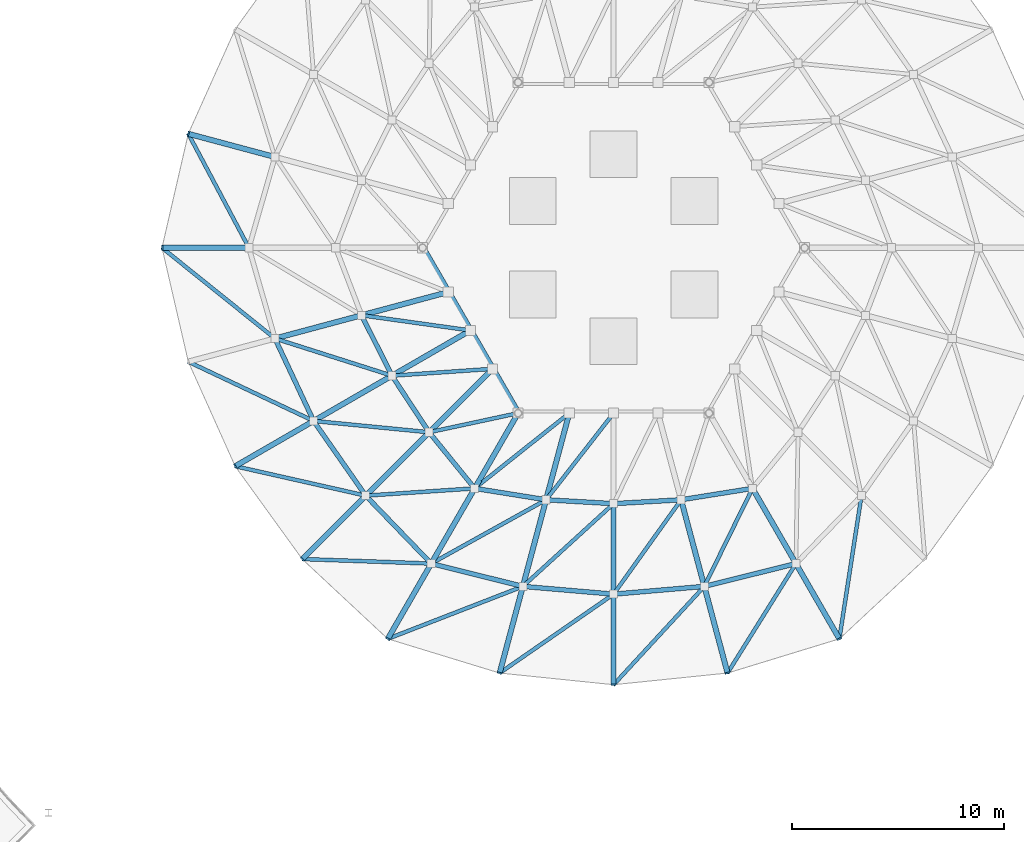
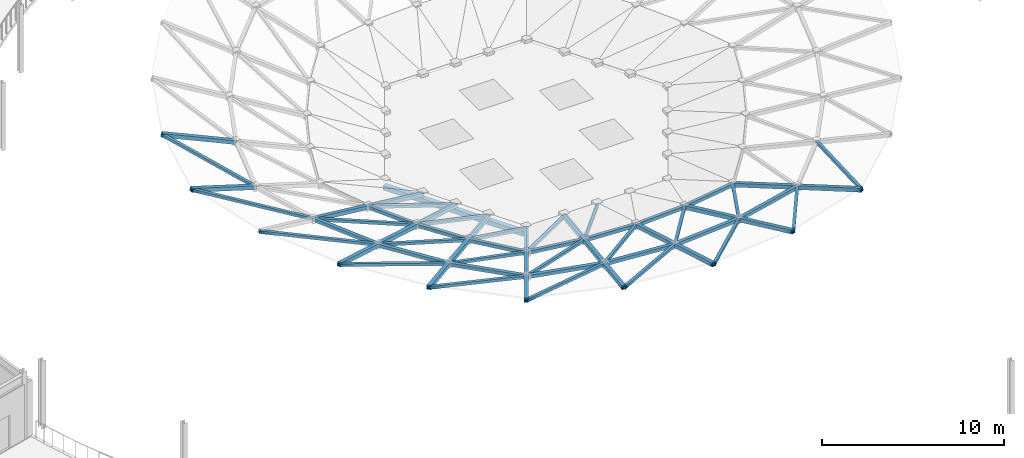
# One storey, part 22 of 116: 58 members, 1 beam.
"""IFC4 building model written with IfcOpenShell, lengths in metres."""

from ifc_helpers import new_model, si_unit, direction, frame, origin, origin_2d, place, context, subcontext, project, spatial, hollow_rectangle, extrude, material, material_profile, profile_set, type_object, element, save


model = new_model("IFC4")

# Units and contexts
model_context = context("Model", 3, precision=1e-05, world=origin(), true_north=direction((0.0, 1.0)))
body_context = subcontext(model_context, "Body", "Model", "MODEL_VIEW")
ifc_project = project(units=[si_unit("LENGTHUNIT", "METRE"), si_unit("AREAUNIT", "SQUARE_METRE"), si_unit("VOLUMEUNIT", "CUBIC_METRE"), si_unit("PLANEANGLEUNIT", "RADIAN"), si_unit("MASSUNIT", "GRAM", prefix="KILO")], contexts=[model_context])

# Site, building, storey
site_placement = place(None, origin())
site = spatial("IfcSite", under=ifc_project, at=site_placement, CompositionType="ELEMENT")
building_placement = place(site_placement, origin())
building = spatial("IfcBuilding", under=site, at=building_placement, Name="Almandine Court Research Institute", CompositionType="ELEMENT")
storey_placement = place(building_placement, frame((0.0, 0.0, 14.35009765625)))
storey = spatial("IfcBuildingStorey", under=building, at=storey_placement, Name="L03", CompositionType="ELEMENT", Elevation=14.35009765625)

# Beam
ifc_material = material(Name="Steel ASTM A500 Grade C", Category="steel")
ifc_material_profile_1 = material_profile(ifc_material, hollow_rectangle(XDim=0.300048828125, YDim=0.300048828125, WallThickness=0.011962890625, at=origin_2d()), Name="HSS 300x300x12")
ifc_profile_set_1 = profile_set([ifc_material_profile_1], Name="Steel ASTM A500 Grade C")
beam_type = type_object("IfcBeamType", Name="Beam-RB-01-E", PredefinedType="BEAM", material=ifc_profile_set_1)
beam_placement = place(storey_placement, frame((78.0, 56.0, 0.64990234375), z_axis=(0.500013631625, -0.866017533419, 0.0), x_axis=(0.866017533419, 0.500013631625, 0.0)))
element("IfcBeam", 1, at=beam_placement, inside=storey, type_object=beam_type, Name="Gridshell Inner Oculus Ring Beam IRB-4", PredefinedType="BEAM", context=body_context, shape_type="SweptSolid", body=[
    extrude(hollow_rectangle(XDim=0.300048828125, YDim=0.300048828125, WallThickness=0.011962890625, at=origin_2d()), origin(), (0.0, 0.0, 1.0), 8.999755859375),
])

# Members
ifc_material_profile_2 = material_profile(ifc_material, hollow_rectangle(XDim=0.25, YDim=0.25, WallThickness=0.010009765625, at=origin_2d()), Name="HSS 250x250x10")
ifc_profile_set_2 = profile_set([ifc_material_profile_2], Name="Steel ASTM A500 Grade C")
member_type_1 = type_object("IfcMemberType", Name="Mem-GS-AR1", PredefinedType="RAFTER", material=ifc_profile_set_2)
member_1_placement = place(storey_placement, frame((66.9599609375, 61.3701171875, 4.77099609375), z_axis=(0.925809514267, -0.248174536061, -0.285107248144), x_axis=(0.25892088645, 0.965898532228, 0.0)))
element("IfcMember", 2, at=member_1_placement, inside=storey, type_object=member_type_1, Name="Atrium Conical Gridshell Radial Rib R4-S11", PredefinedType="RAFTER", context=body_context, shape_type="SweptSolid", body=[
    extrude(hollow_rectangle(XDim=0.25, YDim=0.25, WallThickness=0.010009765625, at=origin_2d()), origin(), (0.0, 0.0, 1.0), 4.4091796875),
])
member_2_placement = place(storey_placement, frame((65.720947265625, 56.0, 4.77099609375), z_axis=(0.955930522489, 0.0, -0.293592977053), x_axis=(0.0, 1.0, 0.0)))
element("IfcMember", 3, at=member_2_placement, inside=storey, type_object=member_type_1, Name="Atrium Conical Gridshell Radial Rib R4-S12", PredefinedType="RAFTER", context=body_context, shape_type="SweptSolid", body=[
    extrude(hollow_rectangle(XDim=0.25, YDim=0.25, WallThickness=0.010009765625, at=origin_2d()), origin(), (0.0, 0.0, 1.0), 4.28173828125),
])
member_3_placement = place(storey_placement, frame((69.1689453125, 45.705078125, 4.77099609375), z_axis=(0.830700468478, 0.479611347077, -0.282683015808), x_axis=(-0.500004853958, 0.866022601332, 0.0)))
element("IfcMember", 4, at=member_3_placement, inside=storey, type_object=member_type_1, Name="Atrium Conical Gridshell Radial Rib R4-S14", PredefinedType="RAFTER", context=body_context, shape_type="SweptSolid", body=[
    extrude(hollow_rectangle(XDim=0.25, YDim=0.25, WallThickness=0.010009765625, at=origin_2d()), origin(), (0.0, 0.0, 1.0), 4.447021484375),
])
member_4_placement = place(storey_placement, frame((72.330078125, 41.330078125, 4.77099609375), z_axis=(0.677753192831, 0.677753192831, -0.285133686566), x_axis=(-0.707106781187, 0.707106781187, 0.0)))
element("IfcMember", 5, at=member_4_placement, inside=storey, type_object=member_type_1, Name="Atrium Conical Gridshell Radial Rib R4-S15", PredefinedType="RAFTER", context=body_context, shape_type="SweptSolid", body=[
    extrude(hollow_rectangle(XDim=0.25, YDim=0.25, WallThickness=0.010009765625, at=origin_2d()), origin(), (0.0, 0.0, 1.0), 4.40869140625),
])
member_5_placement = place(storey_placement, frame((76.361083984375, 37.572021484375, 4.77099609375), z_axis=(0.477830810547, 0.827935962905, -0.293597952686), x_axis=(-0.86610613113, 0.49986015006, 0.0)))
element("IfcMember", 6, at=member_5_placement, inside=storey, type_object=member_type_1, Name="Atrium Conical Gridshell Radial Rib R4-S16", PredefinedType="RAFTER", context=body_context, shape_type="SweptSolid", body=[
    extrude(hollow_rectangle(XDim=0.25, YDim=0.25, WallThickness=0.010009765625, at=origin_2d()), origin(), (0.0, 0.0, 1.0), 4.28173828125),
])
member_6_placement = place(storey_placement, frame((81.6298828125, 35.9599609375, 4.77099609375), z_axis=(0.248174536061, 0.925809514267, -0.285107248144), x_axis=(-0.965898532228, 0.25892088645, 0.0)))
element("IfcMember", 7, at=member_6_placement, inside=storey, type_object=member_type_1, Name="Atrium Conical Gridshell Radial Rib R4-S17", PredefinedType="RAFTER", context=body_context, shape_type="SweptSolid", body=[
    extrude(hollow_rectangle(XDim=0.25, YDim=0.25, WallThickness=0.010009765625, at=origin_2d()), origin(), (0.0, 0.0, 1.0), 4.4091796875),
])
member_7_placement = place(storey_placement, frame((87.0, 35.409912109375, 4.77099609375), z_axis=(0.0, 0.95922289885, -0.282650721425), x_axis=(-1.0, 0.0, 0.0)))
element("IfcMember", 8, at=member_7_placement, inside=storey, type_object=member_type_1, Name="Atrium Conical Gridshell Radial Rib R4-S18", PredefinedType="RAFTER", context=body_context, shape_type="SweptSolid", body=[
    extrude(hollow_rectangle(XDim=0.25, YDim=0.25, WallThickness=0.010009765625, at=origin_2d()), origin(), (0.0, 0.0, 1.0), 4.447509765625),
])
member_8_placement = place(storey_placement, frame((92.3701171875, 35.9599609375, 4.77099609375), z_axis=(-0.248174536061, 0.925809514267, -0.285107248144), x_axis=(-0.965898532228, -0.25892088645, 0.0)))
element("IfcMember", 9, at=member_8_placement, inside=storey, type_object=member_type_1, Name="Atrium Conical Gridshell Radial Rib R4-S19", PredefinedType="RAFTER", context=body_context, shape_type="SweptSolid", body=[
    extrude(hollow_rectangle(XDim=0.25, YDim=0.25, WallThickness=0.010009765625, at=origin_2d()), origin(), (0.0, 0.0, 1.0), 4.4091796875),
])
member_9_placement = place(storey_placement, frame((97.638916015625, 37.572021484375, 4.77099609375), z_axis=(-0.477830810547, 0.827935962905, -0.293597952686), x_axis=(-0.86610613113, -0.49986015006, 0.0)))
element("IfcMember", 10, at=member_9_placement, inside=storey, type_object=member_type_1, Name="Atrium Conical Gridshell Radial Rib R4-S20", PredefinedType="RAFTER", context=body_context, shape_type="SweptSolid", body=[
    extrude(hollow_rectangle(XDim=0.25, YDim=0.25, WallThickness=0.010009765625, at=origin_2d()), origin(), (0.0, 0.0, 1.0), 4.28173828125),
])
member_10_placement = place(storey_placement, frame((71.0419921875, 51.72412109375, 3.513916015625), z_axis=(0.925822235368, 0.248122573964, -0.285111165665), x_axis=(-0.258866989029, 0.965912978478, 0.0)))
element("IfcMember", 11, at=member_10_placement, inside=storey, type_object=member_type_1, Name="Atrium Conical Gridshell Radial Rib R5-S13", PredefinedType="RAFTER", context=body_context, shape_type="SweptSolid", body=[
    extrude(hollow_rectangle(XDim=0.25, YDim=0.25, WallThickness=0.010009765625, at=origin_2d()), origin(), (0.0, 0.0, 1.0), 4.4091796875),
])
member_11_placement = place(storey_placement, frame((72.863037109375, 47.837890625, 3.513916015625), z_axis=(0.830680999936, 0.479593889491, -0.282769831328), x_axis=(-0.499999992624, 0.866025408043, 0.0)))
element("IfcMember", 12, at=member_11_placement, inside=storey, type_object=member_type_1, Name="Atrium Conical Gridshell Radial Rib R5-S14", PredefinedType="RAFTER", context=body_context, shape_type="SweptSolid", body=[
    extrude(hollow_rectangle(XDim=0.25, YDim=0.25, WallThickness=0.010009765625, at=origin_2d()), origin(), (0.0, 0.0, 1.0), 4.445556640625),
])
member_12_placement = place(storey_placement, frame((75.318115234375, 44.318115234375, 3.513916015625), z_axis=(0.677748690146, 0.677748690146, -0.285155091155), x_axis=(-0.707106781187, 0.707106781187, 0.0)))
element("IfcMember", 13, at=member_12_placement, inside=storey, type_object=member_type_1, Name="Atrium Conical Gridshell Radial Rib R5-S15", PredefinedType="RAFTER", context=body_context, shape_type="SweptSolid", body=[
    extrude(hollow_rectangle(XDim=0.25, YDim=0.25, WallThickness=0.010009765625, at=origin_2d()), origin(), (0.0, 0.0, 1.0), 4.408447265625),
])
member_13_placement = place(storey_placement, frame((78.406982421875, 41.116943359375, 3.513916015625), z_axis=(0.478141034543, 0.827751372383, -0.293613379471), x_axis=(-0.865917322531, 0.500187155513, 0.0)))
element("IfcMember", 14, at=member_13_placement, inside=storey, type_object=member_type_1, Name="Atrium Conical Gridshell Radial Rib R5-S16", PredefinedType="RAFTER", context=body_context, shape_type="SweptSolid", body=[
    extrude(hollow_rectangle(XDim=0.25, YDim=0.25, WallThickness=0.010009765625, at=origin_2d()), origin(), (0.0, 0.0, 1.0), 4.281494140625),
])
member_14_placement = place(storey_placement, frame((82.72412109375, 40.0419921875, 3.513916015625), z_axis=(0.248122573964, 0.925822235368, -0.285111165665), x_axis=(-0.965912978478, 0.258866989029, 0.0)))
element("IfcMember", 15, at=member_14_placement, inside=storey, type_object=member_type_1, Name="Atrium Conical Gridshell Radial Rib R5-S17", PredefinedType="RAFTER", context=body_context, shape_type="SweptSolid", body=[
    extrude(hollow_rectangle(XDim=0.25, YDim=0.25, WallThickness=0.010009765625, at=origin_2d()), origin(), (0.0, 0.0, 1.0), 4.4091796875),
])
member_15_placement = place(storey_placement, frame((87.0, 39.676025390625, 3.513916015625), z_axis=(0.0, 0.959200962269, -0.282725156261), x_axis=(-1.0, 0.0, 0.0)))
element("IfcMember", 16, at=member_15_placement, inside=storey, type_object=member_type_1, Name="Atrium Conical Gridshell Radial Rib R5-S18", PredefinedType="RAFTER", context=body_context, shape_type="SweptSolid", body=[
    extrude(hollow_rectangle(XDim=0.25, YDim=0.25, WallThickness=0.010009765625, at=origin_2d()), origin(), (0.0, 0.0, 1.0), 4.4462890625),
])
member_16_placement = place(storey_placement, frame((91.27587890625, 40.0419921875, 3.513916015625), z_axis=(-0.248122573964, 0.925822235368, -0.285111165665), x_axis=(-0.965912978478, -0.258866989029, 0.0)))
element("IfcMember", 17, at=member_16_placement, inside=storey, type_object=member_type_1, Name="Atrium Conical Gridshell Radial Rib R5-S19", PredefinedType="RAFTER", context=body_context, shape_type="SweptSolid", body=[
    extrude(hollow_rectangle(XDim=0.25, YDim=0.25, WallThickness=0.010009765625, at=origin_2d()), origin(), (0.0, 0.0, 1.0), 4.4091796875),
])
member_17_placement = place(storey_placement, frame((95.593017578125, 41.116943359375, 3.513916015625), z_axis=(-0.478141034543, 0.827751372383, -0.293613379471), x_axis=(-0.865917322531, -0.500187155513, 0.0)))
element("IfcMember", 18, at=member_17_placement, inside=storey, type_object=member_type_1, Name="Atrium Conical Gridshell Radial Rib R5-S20", PredefinedType="RAFTER", context=body_context, shape_type="SweptSolid", body=[
    extrude(hollow_rectangle(XDim=0.25, YDim=0.25, WallThickness=0.010009765625, at=origin_2d()), origin(), (0.0, 0.0, 1.0), 4.281494140625),
])
member_18_placement = place(storey_placement, frame((75.1240234375, 52.818115234375, 2.2568359375), z_axis=(0.925836850451, 0.248126490842, -0.285060293428), x_axis=(-0.258866989029, 0.965912978478, 0.0)))
element("IfcMember", 19, at=member_18_placement, inside=storey, type_object=member_type_1, Name="Atrium Conical Gridshell Radial Rib R6-S13", PredefinedType="RAFTER", context=body_context, shape_type="SweptSolid", body=[
    extrude(hollow_rectangle(XDim=0.25, YDim=0.25, WallThickness=0.010009765625, at=origin_2d()), origin(), (0.0, 0.0, 1.0), 4.408935546875),
])
member_19_placement = place(storey_placement, frame((76.555908203125, 49.969970703125, 2.2568359375), z_axis=(0.830691485021, 0.479661060381, -0.282625058812), x_axis=(-0.500047778078, 0.865997817341, 0.0)))
element("IfcMember", 20, at=member_19_placement, inside=storey, type_object=member_type_1, Name="Atrium Conical Gridshell Radial Rib R6-S14", PredefinedType="RAFTER", context=body_context, shape_type="SweptSolid", body=[
    extrude(hollow_rectangle(XDim=0.25, YDim=0.25, WallThickness=0.010009765625, at=origin_2d()), origin(), (0.0, 0.0, 1.0), 4.447021484375),
])
member_20_placement = place(storey_placement, frame((78.305908203125, 47.305908203125, 2.2568359375), z_axis=(0.677763893572, 0.677763893572, -0.285082811023), x_axis=(-0.707106781187, 0.707106781187, 0.0)))
element("IfcMember", 21, at=member_20_placement, inside=storey, type_object=member_type_1, Name="Atrium Conical Gridshell Radial Rib R6-S15", PredefinedType="RAFTER", context=body_context, shape_type="SweptSolid", body=[
    extrude(hollow_rectangle(XDim=0.25, YDim=0.25, WallThickness=0.010009765625, at=origin_2d()), origin(), (0.0, 0.0, 1.0), 4.40869140625),
])
member_21_placement = place(storey_placement, frame((80.4541015625, 44.660888671875, 2.2568359375), z_axis=(0.477816251034, 0.827967754328, -0.293531988105), x_axis=(-0.86612103393, 0.499834327136, 0.0)))
element("IfcMember", 22, at=member_21_placement, inside=storey, type_object=member_type_1, Name="Atrium Conical Gridshell Radial Rib R6-S16", PredefinedType="RAFTER", context=body_context, shape_type="SweptSolid", body=[
    extrude(hollow_rectangle(XDim=0.25, YDim=0.25, WallThickness=0.010009765625, at=origin_2d()), origin(), (0.0, 0.0, 1.0), 4.28173828125),
])
member_22_placement = place(storey_placement, frame((83.818115234375, 44.1240234375, 2.2568359375), z_axis=(0.248126490842, 0.925836850451, -0.285060293428), x_axis=(-0.965912978478, 0.258866989029, 0.0)))
element("IfcMember", 23, at=member_22_placement, inside=storey, type_object=member_type_1, Name="Atrium Conical Gridshell Radial Rib R6-S17", PredefinedType="RAFTER", context=body_context, shape_type="SweptSolid", body=[
    extrude(hollow_rectangle(XDim=0.25, YDim=0.25, WallThickness=0.010009765625, at=origin_2d()), origin(), (0.0, 0.0, 1.0), 4.408935546875),
])
ifc_material_profile_3 = material_profile(ifc_material, hollow_rectangle(XDim=0.179931640625, YDim=0.179931640625, WallThickness=0.008056640625, at=origin_2d()), Name="HSS 180x180x8")
ifc_profile_set_3 = profile_set([ifc_material_profile_3], Name="Steel ASTM A500 Grade C")
member_type_2 = type_object("IfcMemberType", Name="Mem-GS-BR1", PredefinedType="BRACE", material=ifc_profile_set_3)
member_23_placement = place(storey_placement, frame((66.9599609375, 61.3701171875, 4.77099609375), z_axis=(0.45958405155, -0.864757125568, -0.202429279849), x_axis=(0.883038780022, 0.46930002448, 0.0)))
element("IfcMember", 24, at=member_23_placement, inside=storey, type_object=member_type_2, Name="Atrium Conical Gridshell Diagonal Brace R4-S11", PredefinedType="BRACE", context=body_context, shape_type="SweptSolid", body=[
    extrude(hollow_rectangle(XDim=0.179931640625, YDim=0.179931640625, WallThickness=0.008056640625, at=origin_2d()), origin(), (0.0, 0.0, 1.0), 6.2099609375),
])
member_24_placement = place(storey_placement, frame((65.720947265625, 56.0, 4.77099609375), z_axis=(0.766615252197, -0.616035766322, -0.181110435126), x_axis=(0.626394600994, 0.779506128164, 0.0)))
element("IfcMember", 25, at=member_24_placement, inside=storey, type_object=member_type_2, Name="Atrium Conical Gridshell Diagonal Brace R4-S12", PredefinedType="BRACE", context=body_context, shape_type="SweptSolid", body=[
    extrude(hollow_rectangle(XDim=0.179931640625, YDim=0.179931640625, WallThickness=0.008056640625, at=origin_2d()), origin(), (0.0, 0.0, 1.0), 6.94091796875),
])
member_25_placement = place(storey_placement, frame((66.9599609375, 50.6298828125, 4.77099609375), z_axis=(0.887687863886, -0.41985187193, -0.189036139259), x_axis=(0.427560736017, 0.903986624357, 0.0)))
element("IfcMember", 26, at=member_25_placement, inside=storey, type_object=member_type_2, Name="Atrium Conical Gridshell Diagonal Brace R4-S13", PredefinedType="BRACE", context=body_context, shape_type="SweptSolid", body=[
    extrude(hollow_rectangle(XDim=0.179931640625, YDim=0.179931640625, WallThickness=0.008056640625, at=origin_2d()), origin(), (0.0, 0.0, 1.0), 6.64990234375),
])
member_26_placement = place(storey_placement, frame((69.1689453125, 45.705078125, 4.77099609375), z_axis=(0.956657038881, -0.215776735534, -0.195570218494), x_axis=(0.220025493604, 0.975494122055, 0.0)))
element("IfcMember", 27, at=member_26_placement, inside=storey, type_object=member_type_2, Name="Atrium Conical Gridshell Diagonal Brace R4-S14", PredefinedType="BRACE", context=body_context, shape_type="SweptSolid", body=[
    extrude(hollow_rectangle(XDim=0.179931640625, YDim=0.179931640625, WallThickness=0.008056640625, at=origin_2d()), origin(), (0.0, 0.0, 1.0), 6.427734375),
])
member_27_placement = place(storey_placement, frame((72.330078125, 41.330078125, 4.77099609375), z_axis=(0.978690071539, -0.03432551655, -0.202453705289), x_axis=(0.035051366037, 0.999385512072, 0.0)))
element("IfcMember", 28, at=member_27_placement, inside=storey, type_object=member_type_2, Name="Atrium Conical Gridshell Diagonal Brace R4-S15", PredefinedType="BRACE", context=body_context, shape_type="SweptSolid", body=[
    extrude(hollow_rectangle(XDim=0.179931640625, YDim=0.179931640625, WallThickness=0.008056640625, at=origin_2d()), origin(), (0.0, 0.0, 1.0), 6.209228515625),
])
member_28_placement = place(storey_placement, frame((76.361083984375, 37.572021484375, 4.77099609375), z_axis=(0.916810393501, 0.355882697734, -0.18112484043), x_axis=(-0.361867953097, 0.932229362615, 0.0)))
element("IfcMember", 29, at=member_28_placement, inside=storey, type_object=member_type_2, Name="Atrium Conical Gridshell Diagonal Brace R4-S16", PredefinedType="BRACE", context=body_context, shape_type="SweptSolid", body=[
    extrude(hollow_rectangle(XDim=0.179931640625, YDim=0.179931640625, WallThickness=0.008056640625, at=origin_2d()), origin(), (0.0, 0.0, 1.0), 6.9404296875),
])
member_29_placement = place(storey_placement, frame((81.6298828125, 35.9599609375, 4.77099609375), z_axis=(0.807490369933, 0.558774819092, -0.189023818639), x_axis=(-0.569033061086, 0.822314645006, 0.0)))
element("IfcMember", 30, at=member_29_placement, inside=storey, type_object=member_type_2, Name="Atrium Conical Gridshell Diagonal Brace R4-S17", PredefinedType="BRACE", context=body_context, shape_type="SweptSolid", body=[
    extrude(hollow_rectangle(XDim=0.179931640625, YDim=0.179931640625, WallThickness=0.008056640625, at=origin_2d()), origin(), (0.0, 0.0, 1.0), 6.650390625),
])
member_30_placement = place(storey_placement, frame((87.0, 35.409912109375, 4.77099609375), z_axis=(0.665192848103, 0.720606595127, -0.195562291589), x_axis=(-0.734794535787, 0.678289753849, 0.0)))
element("IfcMember", 31, at=member_30_placement, inside=storey, type_object=member_type_2, Name="Atrium Conical Gridshell Diagonal Brace R4-S18", PredefinedType="BRACE", context=body_context, shape_type="SweptSolid", body=[
    extrude(hollow_rectangle(XDim=0.179931640625, YDim=0.179931640625, WallThickness=0.008056640625, at=origin_2d()), origin(), (0.0, 0.0, 1.0), 6.427978515625),
])
member_31_placement = place(storey_placement, frame((92.3701171875, 35.9599609375, 4.77099609375), z_axis=(0.519001013928, 0.830456663677, -0.202434377753), x_axis=(-0.84801409157, 0.529973679062, 0.0)))
element("IfcMember", 32, at=member_31_placement, inside=storey, type_object=member_type_2, Name="Atrium Conical Gridshell Diagonal Brace R4-S19", PredefinedType="BRACE", context=body_context, shape_type="SweptSolid", body=[
    extrude(hollow_rectangle(XDim=0.179931640625, YDim=0.179931640625, WallThickness=0.008056640625, at=origin_2d()), origin(), (0.0, 0.0, 1.0), 6.209716796875),
])
member_32_placement = place(storey_placement, frame((97.638916015625, 37.572021484375, 4.77099609375), z_axis=(0.150261509077, 0.97191620291, -0.18110873367), x_axis=(-0.98825896391, 0.152788154814, 0.0)))
element("IfcMember", 33, at=member_32_placement, inside=storey, type_object=member_type_2, Name="Atrium Conical Gridshell Diagonal Brace R4-S20", PredefinedType="BRACE", context=body_context, shape_type="SweptSolid", body=[
    extrude(hollow_rectangle(XDim=0.179931640625, YDim=0.179931640625, WallThickness=0.008056640625, at=origin_2d()), origin(), (0.0, 0.0, 1.0), 6.94091796875),
])
member_33_placement = place(storey_placement, frame((71.0419921875, 51.72412109375, 3.513916015625), z_axis=(0.931216579234, -0.296249330166, -0.212301712042), x_axis=(0.303160117727, 0.952939632411, 0.0)))
element("IfcMember", 34, at=member_33_placement, inside=storey, type_object=member_type_2, Name="Atrium Conical Gridshell Diagonal Brace R5-S13", PredefinedType="BRACE", context=body_context, shape_type="SweptSolid", body=[
    extrude(hollow_rectangle(XDim=0.179931640625, YDim=0.179931640625, WallThickness=0.008056640625, at=origin_2d()), origin(), (0.0, 0.0, 1.0), 5.921142578125),
])
member_34_placement = place(storey_placement, frame((72.863037109375, 47.837890625, 3.513916015625), z_axis=(0.969962203455, -0.094803428785, -0.224021502897), x_axis=(0.097275770136, 0.99525746646, 0.0)))
element("IfcMember", 35, at=member_34_placement, inside=storey, type_object=member_type_2, Name="Atrium Conical Gridshell Diagonal Brace R5-S14", PredefinedType="BRACE", context=body_context, shape_type="SweptSolid", body=[
    extrude(hollow_rectangle(XDim=0.179931640625, YDim=0.179931640625, WallThickness=0.008056640625, at=origin_2d()), origin(), (0.0, 0.0, 1.0), 5.611328125),
])
member_35_placement = place(storey_placement, frame((75.318115234375, 44.318115234375, 3.513916015625), z_axis=(0.969293883954, 0.064690241625, -0.237243628297), x_axis=(-0.06659141422, 0.997780328305, 0.0)))
element("IfcMember", 36, at=member_35_placement, inside=storey, type_object=member_type_2, Name="Atrium Conical Gridshell Diagonal Brace R5-S15", PredefinedType="BRACE", context=body_context, shape_type="SweptSolid", body=[
    extrude(hollow_rectangle(XDim=0.179931640625, YDim=0.179931640625, WallThickness=0.008056640625, at=origin_2d()), origin(), (0.0, 0.0, 1.0), 5.298583984375),
])
member_36_placement = place(storey_placement, frame((78.406982421875, 41.116943359375, 3.513916015625), z_axis=(0.856613001489, 0.47603782437, -0.199002903116), x_axis=(-0.485753427105, 0.874095880356, 0.0)))
element("IfcMember", 37, at=member_36_placement, inside=storey, type_object=member_type_2, Name="Atrium Conical Gridshell Diagonal Brace R5-S16", PredefinedType="BRACE", context=body_context, shape_type="SweptSolid", body=[
    extrude(hollow_rectangle(XDim=0.179931640625, YDim=0.179931640625, WallThickness=0.008056640625, at=origin_2d()), origin(), (0.0, 0.0, 1.0), 6.31689453125),
])
member_37_placement = place(storey_placement, frame((82.72412109375, 40.0419921875, 3.513916015625), z_axis=(0.722085119583, 0.658427507122, -0.212288242591), x_axis=(-0.673785026765, 0.738927423843, 0.0)))
element("IfcMember", 38, at=member_37_placement, inside=storey, type_object=member_type_2, Name="Atrium Conical Gridshell Diagonal Brace R5-S17", PredefinedType="BRACE", context=body_context, shape_type="SweptSolid", body=[
    extrude(hollow_rectangle(XDim=0.179931640625, YDim=0.179931640625, WallThickness=0.008056640625, at=origin_2d()), origin(), (0.0, 0.0, 1.0), 5.921630859375),
])
member_38_placement = place(storey_placement, frame((87.0, 39.676025390625, 3.513916015625), z_axis=(0.567025713396, 0.792652610479, -0.224017140971), x_axis=(-0.813323049575, 0.581812355514, 0.0)))
element("IfcMember", 39, at=member_38_placement, inside=storey, type_object=member_type_2, Name="Atrium Conical Gridshell Diagonal Brace R5-S18", PredefinedType="BRACE", context=body_context, shape_type="SweptSolid", body=[
    extrude(hollow_rectangle(XDim=0.179931640625, YDim=0.179931640625, WallThickness=0.008056640625, at=origin_2d()), origin(), (0.0, 0.0, 1.0), 5.611572265625),
])
member_39_placement = place(storey_placement, frame((91.27587890625, 40.0419921875, 3.513916015625), z_axis=(0.428477640268, 0.871840016803, -0.237280207544), x_axis=(-0.897470656495, 0.441074166927, 0.0)))
element("IfcMember", 40, at=member_39_placement, inside=storey, type_object=member_type_2, Name="Atrium Conical Gridshell Diagonal Brace R5-S19", PredefinedType="BRACE", context=body_context, shape_type="SweptSolid", body=[
    extrude(hollow_rectangle(XDim=0.179931640625, YDim=0.179931640625, WallThickness=0.008056640625, at=origin_2d()), origin(), (0.0, 0.0, 1.0), 5.2978515625),
])
member_40_placement = place(storey_placement, frame((75.1240234375, 52.818115234375, 2.2568359375), z_axis=(0.962438079531, -0.134262770763, -0.235979769167), x_axis=(0.138164826194, 0.990409249151, 0.0)))
element("IfcMember", 41, at=member_40_placement, inside=storey, type_object=member_type_2, Name="Atrium Conical Gridshell Diagonal Brace R6-S13", PredefinedType="BRACE", context=body_context, shape_type="SweptSolid", body=[
    extrude(hollow_rectangle(XDim=0.179931640625, YDim=0.179931640625, WallThickness=0.008056640625, at=origin_2d()), origin(), (0.0, 0.0, 1.0), 5.325927734375),
])
member_41_placement = place(storey_placement, frame((76.555908203125, 49.969970703125, 2.2568359375), z_axis=(0.964467231594, 0.065947751653, -0.255839506789), x_axis=(-0.068218099822, 0.997670431985, 0.0)))
element("IfcMember", 42, at=member_41_placement, inside=storey, type_object=member_type_2, Name="Atrium Conical Gridshell Diagonal Brace R6-S14", PredefinedType="BRACE", context=body_context, shape_type="SweptSolid", body=[
    extrude(hollow_rectangle(XDim=0.179931640625, YDim=0.179931640625, WallThickness=0.008056640625, at=origin_2d()), origin(), (0.0, 0.0, 1.0), 4.91259765625),
])
member_42_placement = place(storey_placement, frame((78.305908203125, 47.305908203125, 2.2568359375), z_axis=(0.938289510506, 0.201378044428, -0.281175528266), x_axis=(-0.209843912452, 0.977734898838, 0.0)))
element("IfcMember", 43, at=member_42_placement, inside=storey, type_object=member_type_2, Name="Atrium Conical Gridshell Diagonal Brace R6-S15", PredefinedType="BRACE", context=body_context, shape_type="SweptSolid", body=[
    extrude(hollow_rectangle(XDim=0.179931640625, YDim=0.179931640625, WallThickness=0.008056640625, at=origin_2d()), origin(), (0.0, 0.0, 1.0), 4.469970703125),
])
member_43_placement = place(storey_placement, frame((80.4541015625, 44.660888671875, 2.2568359375), z_axis=(0.764298481314, 0.60779727531, -0.215476921238), x_axis=(-0.622418551138, 0.78268457708, 0.0)))
element("IfcMember", 44, at=member_43_placement, inside=storey, type_object=member_type_2, Name="Atrium Conical Gridshell Diagonal Brace R6-S16", PredefinedType="BRACE", context=body_context, shape_type="SweptSolid", body=[
    extrude(hollow_rectangle(XDim=0.179931640625, YDim=0.179931640625, WallThickness=0.008056640625, at=origin_2d()), origin(), (0.0, 0.0, 1.0), 5.832763671875),
])
member_44_placement = place(storey_placement, frame((83.818115234375, 44.1240234375, 2.2568359375), z_axis=(0.597417161769, 0.766424840388, -0.235978174541), x_axis=(-0.788698997225, 0.614779547299, 0.0)))
element("IfcMember", 45, at=member_44_placement, inside=storey, type_object=member_type_2, Name="Atrium Conical Gridshell Diagonal Brace R6-S17", PredefinedType="BRACE", context=body_context, shape_type="SweptSolid", body=[
    extrude(hollow_rectangle(XDim=0.179931640625, YDim=0.179931640625, WallThickness=0.008056640625, at=origin_2d()), origin(), (0.0, 0.0, 1.0), 5.326171875),
])
ifc_material_profile_4 = material_profile(ifc_material, hollow_rectangle(XDim=0.219970703125, YDim=0.219970703125, WallThickness=0.010009765625, at=origin_2d()), Name="HSS 220x220x10")
ifc_profile_set_4 = profile_set([ifc_material_profile_4], Name="Steel ASTM A500 Grade C")
member_type_3 = type_object("IfcMemberType", Name="Mem-GS-ST1", PredefinedType="COLLAR", material=ifc_profile_set_4)
member_45_placement = place(storey_placement, frame((71.0419921875, 51.72412109375, 3.513916015625), z_axis=(0.424314361359, -0.905514948935, 0.0), x_axis=(0.905514948935, 0.424314361359, 0.0)))
element("IfcMember", 46, at=member_45_placement, inside=storey, type_object=member_type_3, Name="Atrium Conical Gridshell Hoop Ring R5-S13", PredefinedType="COLLAR", context=body_context, shape_type="SweptSolid", body=[
    extrude(hollow_rectangle(XDim=0.219970703125, YDim=0.219970703125, WallThickness=0.010009765625, at=origin_2d()), origin(), (0.0, 0.0, 1.0), 4.291748046875),
])
member_46_placement = place(storey_placement, frame((72.863037109375, 47.837890625, 3.513916015625), z_axis=(0.572090824344, -0.820190275912, 0.0), x_axis=(0.820190275912, 0.572090824344, 0.0)))
element("IfcMember", 47, at=member_46_placement, inside=storey, type_object=member_type_3, Name="Atrium Conical Gridshell Hoop Ring R5-S14", PredefinedType="COLLAR", context=body_context, shape_type="SweptSolid", body=[
    extrude(hollow_rectangle(XDim=0.219970703125, YDim=0.219970703125, WallThickness=0.010009765625, at=origin_2d()), origin(), (0.0, 0.0, 1.0), 4.29150390625),
])
member_47_placement = place(storey_placement, frame((75.318115234375, 44.318115234375, 3.513916015625), z_axis=(0.694371168279, -0.719617037502, 0.0), x_axis=(0.719617037502, 0.694371168279, 0.0)))
element("IfcMember", 48, at=member_47_placement, inside=storey, type_object=member_type_3, Name="Atrium Conical Gridshell Hoop Ring R5-S15", PredefinedType="COLLAR", context=body_context, shape_type="SweptSolid", body=[
    extrude(hollow_rectangle(XDim=0.219970703125, YDim=0.219970703125, WallThickness=0.010009765625, at=origin_2d()), origin(), (0.0, 0.0, 1.0), 4.448486328125),
])
member_48_placement = place(storey_placement, frame((78.406982421875, 41.116943359375, 3.513916015625), z_axis=(0.970371254748, -0.241618765744, 0.0), x_axis=(0.241618765744, 0.970371254748, 0.0)))
element("IfcMember", 49, at=member_48_placement, inside=storey, type_object=member_type_3, Name="Atrium Conical Gridshell Hoop Ring R5-S16", PredefinedType="COLLAR", context=body_context, shape_type="SweptSolid", body=[
    extrude(hollow_rectangle(XDim=0.219970703125, YDim=0.219970703125, WallThickness=0.010009765625, at=origin_2d()), origin(), (0.0, 0.0, 1.0), 4.448974609375),
])
for number, where, z_axis, x_axis, name in (
    (50, (82.72412109375, 40.0419921875, 3.513916015625), (0.996357290731, -0.085276897271, 0.0), (0.085276897271, 0.996357290731, 0.0), "Atrium Conical Gridshell Hoop Ring R5-S17"),
    (51, (87.0, 39.676025390625, 3.513916015625), (0.996357290731, 0.085276897271, 0.0), (-0.085276897271, 0.996357290731, 0.0), "Atrium Conical Gridshell Hoop Ring R5-S18"),
):
    element("IfcMember", number, at=place(storey_placement, frame(where, z_axis=z_axis, x_axis=x_axis)), inside=storey, type_object=member_type_3, Name=name, PredefinedType="COLLAR", context=body_context, shape_type="SweptSolid", body=[
        extrude(hollow_rectangle(XDim=0.219970703125, YDim=0.219970703125, WallThickness=0.010009765625, at=origin_2d()), origin(), (0.0, 0.0, 1.0), 4.29150390625),
    ])
member_49_placement = place(storey_placement, frame((91.27587890625, 40.0419921875, 3.513916015625), z_axis=(0.970371254748, 0.241618765744, 0.0), x_axis=(-0.241618765744, 0.970371254748, 0.0)))
element("IfcMember", 52, at=member_49_placement, inside=storey, type_object=member_type_3, Name="Atrium Conical Gridshell Hoop Ring R5-S19", PredefinedType="COLLAR", context=body_context, shape_type="SweptSolid", body=[
    extrude(hollow_rectangle(XDim=0.219970703125, YDim=0.219970703125, WallThickness=0.010009765625, at=origin_2d()), origin(), (0.0, 0.0, 1.0), 4.448974609375),
])
member_50_placement = place(storey_placement, frame((75.1240234375, 52.818115234375, 2.2568359375), z_axis=(0.449173106182, -0.893444749653, 0.0), x_axis=(0.893444749653, 0.449173106182, 0.0)))
element("IfcMember", 53, at=member_50_placement, inside=storey, type_object=member_type_3, Name="Atrium Conical Gridshell Hoop Ring R6-S13", PredefinedType="COLLAR", context=body_context, shape_type="SweptSolid", body=[
    extrude(hollow_rectangle(XDim=0.219970703125, YDim=0.219970703125, WallThickness=0.010009765625, at=origin_2d()), origin(), (0.0, 0.0, 1.0), 3.187744140625),
])
member_51_placement = place(storey_placement, frame((76.555908203125, 49.969970703125, 2.2568359375), z_axis=(0.549031151656, -0.835801887119, 0.0), x_axis=(0.835801887119, 0.549031151656, 0.0)))
element("IfcMember", 54, at=member_51_placement, inside=storey, type_object=member_type_3, Name="Atrium Conical Gridshell Hoop Ring R6-S14", PredefinedType="COLLAR", context=body_context, shape_type="SweptSolid", body=[
    extrude(hollow_rectangle(XDim=0.219970703125, YDim=0.219970703125, WallThickness=0.010009765625, at=origin_2d()), origin(), (0.0, 0.0, 1.0), 3.1875),
])
member_52_placement = place(storey_placement, frame((78.305908203125, 47.305908203125, 2.2568359375), z_axis=(0.630436165424, -0.776241097421, 0.0), x_axis=(0.776241097421, 0.630436165424, 0.0)))
element("IfcMember", 55, at=member_52_placement, inside=storey, type_object=member_type_3, Name="Atrium Conical Gridshell Hoop Ring R6-S15", PredefinedType="COLLAR", context=body_context, shape_type="SweptSolid", body=[
    extrude(hollow_rectangle(XDim=0.219970703125, YDim=0.219970703125, WallThickness=0.010009765625, at=origin_2d()), origin(), (0.0, 0.0, 1.0), 3.407470703125),
])
member_53_placement = place(storey_placement, frame((80.4541015625, 44.660888671875, 2.2568359375), z_axis=(0.987503611538, -0.157596374321, 0.0), x_axis=(0.157596374321, 0.987503611538, 0.0)))
element("IfcMember", 56, at=member_53_placement, inside=storey, type_object=member_type_3, Name="Atrium Conical Gridshell Hoop Ring R6-S16", PredefinedType="COLLAR", context=body_context, shape_type="SweptSolid", body=[
    extrude(hollow_rectangle(XDim=0.219970703125, YDim=0.219970703125, WallThickness=0.010009765625, at=origin_2d()), origin(), (0.0, 0.0, 1.0), 3.406494140625),
])
for number, where, z_axis, x_axis, name in (
    (57, (83.818115234375, 44.1240234375, 2.2568359375), (0.998348316891, -0.05745118067, 0.0), (0.05745118067, 0.998348316891, 0.0), "Atrium Conical Gridshell Hoop Ring R6-S17"),
    (58, (87.0, 43.94091796875, 2.2568359375), (0.998348316891, 0.05745118067, 0.0), (-0.05745118067, 0.998348316891, 0.0), "Atrium Conical Gridshell Hoop Ring R6-S18"),
):
    element("IfcMember", number, at=place(storey_placement, frame(where, z_axis=z_axis, x_axis=x_axis)), inside=storey, type_object=member_type_3, Name=name, PredefinedType="COLLAR", context=body_context, shape_type="SweptSolid", body=[
        extrude(hollow_rectangle(XDim=0.219970703125, YDim=0.219970703125, WallThickness=0.010009765625, at=origin_2d()), origin(), (0.0, 0.0, 1.0), 3.187255859375),
    ])
member_54_placement = place(storey_placement, frame((90.181884765625, 44.1240234375, 2.2568359375), z_axis=(0.987503611538, 0.157596374321, 0.0), x_axis=(-0.157596374321, 0.987503611538, 0.0)))
element("IfcMember", 59, at=member_54_placement, inside=storey, type_object=member_type_3, Name="Atrium Conical Gridshell Hoop Ring R6-S19", PredefinedType="COLLAR", context=body_context, shape_type="SweptSolid", body=[
    extrude(hollow_rectangle(XDim=0.219970703125, YDim=0.219970703125, WallThickness=0.010009765625, at=origin_2d()), origin(), (0.0, 0.0, 1.0), 3.406494140625),
])

save(model, "model.ifc")
